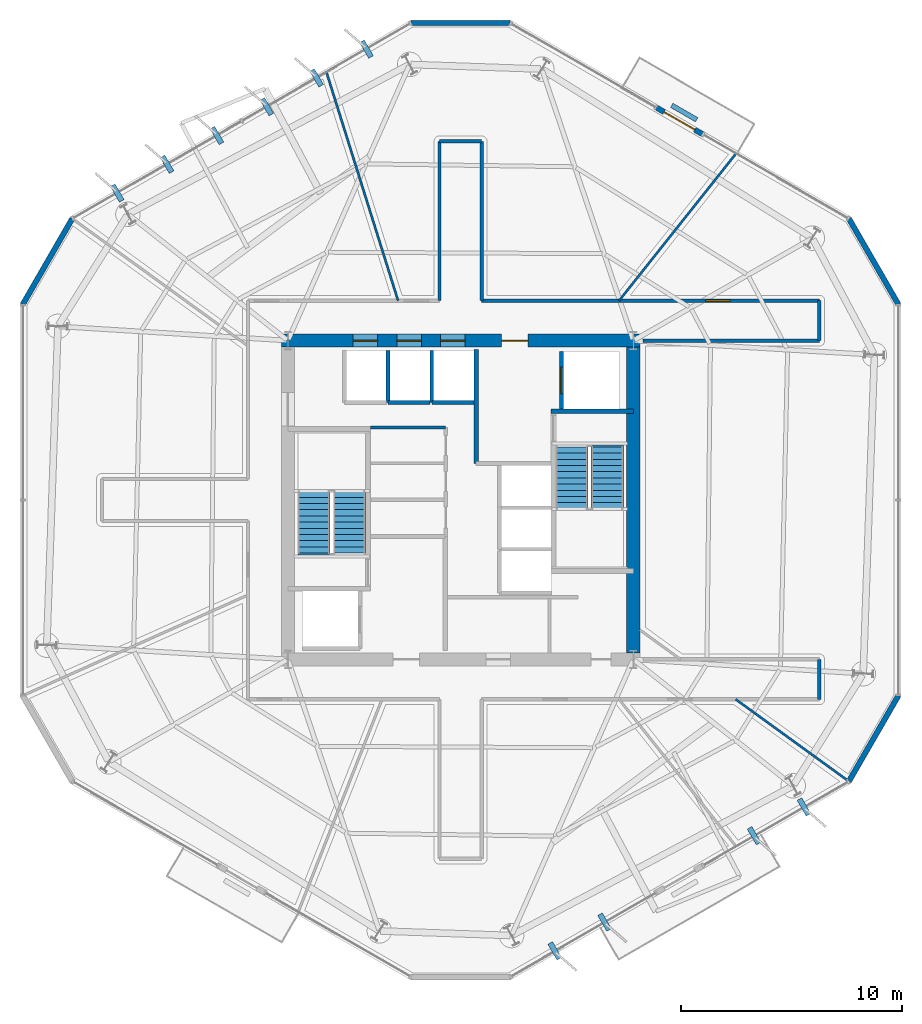
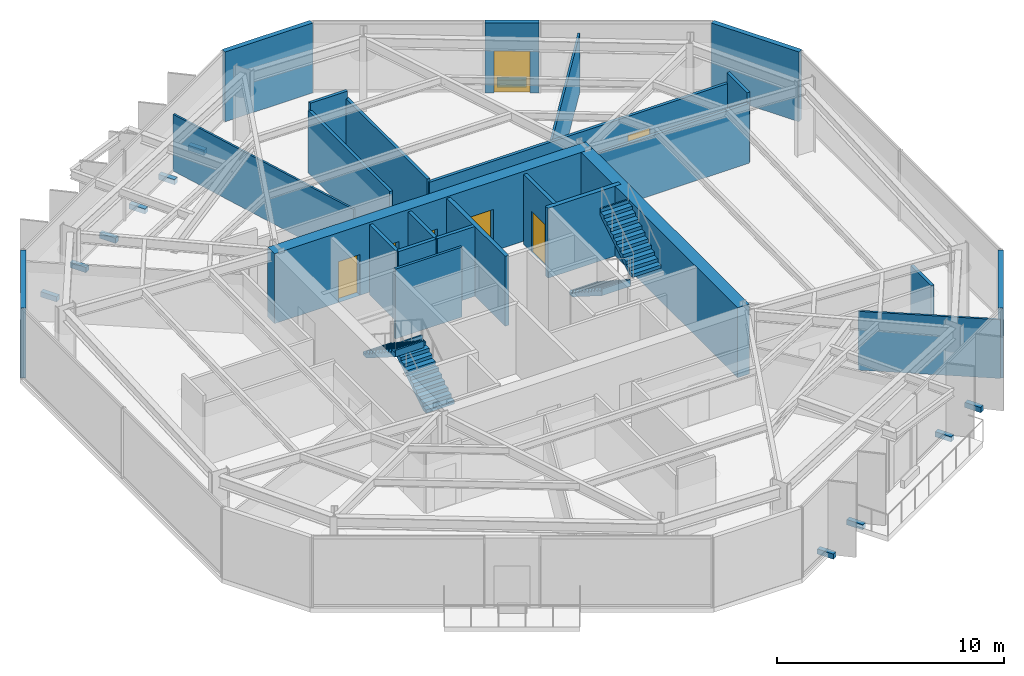
# One storey, part 8 of 11: 26 walls, 10 discrete accessories, 7 doors, 4 stair flights, 7 openings, 2 elements without a shape of their own.
"""IFC4 building model written with IfcOpenShell, lengths in metres."""

from ifc_helpers import new_model, si_unit, direction, frame, frame_2d, origin, origin_2d, place, context, subcontext, project, spatial, polyline, rectangle, outline, extrude, material, layer, layer_set, type_object, element, fill, aggregate, save


model = new_model("IFC4")

# Units and contexts
model_context = context("Model", 3, precision=1e-05, world=origin(), true_north=direction((0.0, 1.0)))
body_context = subcontext(model_context, "Body", "Model", "MODEL_VIEW")
ifc_project = project(units=[si_unit("LENGTHUNIT", "METRE"), si_unit("AREAUNIT", "SQUARE_METRE"), si_unit("VOLUMEUNIT", "CUBIC_METRE"), si_unit("PLANEANGLEUNIT", "RADIAN"), si_unit("MASSUNIT", "GRAM", prefix="KILO")], contexts=[model_context])

# Site, building, storey
site_placement = place(None, origin())
site = spatial("IfcSite", under=ifc_project, at=site_placement, CompositionType="ELEMENT")
building_placement = place(site_placement, origin())
building = spatial("IfcBuilding", under=site, at=building_placement, Name="Kranzbogen Civic Tower", CompositionType="ELEMENT")
storey_placement = place(building_placement, frame((0.0, 0.0, 142.39990234375)))
storey = spatial("IfcBuildingStorey", under=building, at=storey_placement, Name="L34", CompositionType="ELEMENT", Elevation=142.39990234375)

# Walls
ifc_material_1 = material(Name="Double-Stud Acoustic Gypsum Partition")
ifc_layer_1 = layer(ifc_material_1, 0.14990234375, Name="Double-Stud Acoustic Gypsum Partition")
ifc_layer_set_1 = layer_set([ifc_layer_1], Name="Double-Stud Acoustic Gypsum Partition")
wall_type_1 = type_object("IfcWallType", Name="Acoustic Corridor and Clinical Partition 150 mm", PredefinedType="PARTITIONING", material=ifc_layer_set_1)
wall_1_placement = place(storey_placement, frame((24.050048828125, 34.0, 0.0), z_axis=(0.0, 0.0, 1.0), x_axis=(0.0, 1.0, 0.0)))
element("IfcWall", 1, at=wall_1_placement, inside=storey, type_object=wall_type_1, Name="L34 corridor partition 11", PredefinedType="PARTITIONING", context=body_context, shape_type="SweptSolid", body=[
    extrude(rectangle(XDim=7.199951171875, YDim=0.14990234375, at=frame_2d((3.60009765625, 0.0))), origin(), (0.0, 0.0, 1.0), 3.360107421875),
])
wall_2_placement = place(storey_placement, frame((24.050048828125, 41.199951171875, 0.0), z_axis=(0.0, 0.0, 1.0), x_axis=(1.0, 0.0, 0.0)))
element("IfcWall", 2, at=wall_2_placement, inside=storey, type_object=wall_type_1, Name="L34 corridor partition 12", PredefinedType="PARTITIONING", context=body_context, shape_type="SweptSolid", body=[
    extrude(rectangle(XDim=1.89990234375, YDim=0.14990234375, at=frame_2d((0.949951171875, 0.0))), origin(), (0.0, 0.0, 1.0), 3.760009765625),
])
wall_3_placement = place(storey_placement, frame((25.949951171875, 41.199951171875, 0.0), z_axis=(0.0, 0.0, 1.0), x_axis=(0.0, -1.0, 0.0)))
element("IfcWall", 3, at=wall_3_placement, inside=storey, type_object=wall_type_1, Name="L34 corridor partition 13", PredefinedType="PARTITIONING", context=body_context, shape_type="SweptSolid", body=[
    extrude(rectangle(XDim=7.199951171875, YDim=0.14990234375, at=frame_2d((3.60009765625, 0.0))), origin(), (0.0, 0.0, 1.0), 3.360107421875),
])

# Wall, opening, door
wall_4_placement = place(storey_placement, frame((25.949951171875, 34.0, 0.0), z_axis=(0.0, 0.0, 1.0), x_axis=(1.0, 0.0, 0.0)))
wall_4 = element("IfcWall", 4, at=wall_4_placement, inside=storey, type_object=wall_type_1, Name="L34 corridor partition 14", PredefinedType="PARTITIONING", context=body_context, shape_type="SweptSolid", body=[
    extrude(rectangle(XDim=15.25, YDim=0.14990234375, at=frame_2d((7.625, 0.0))), origin(), (0.0, 0.0, 1.0), 3.210205078125),
])
opening_1_placement = place(wall_4_placement, frame((10.116943359375, 0.0, 0.0)))
opening_1 = element("IfcOpeningElement", 5, at=opening_1_placement, cuts=wall_4, Name="Opening D-COR60", PredefinedType="OPENING", context=body_context, shape_type="SweptSolid", body=[
    extrude(rectangle(XDim=1.10009765625, YDim=2.199951171875, at=frame_2d((0.550048828125, 1.10009765625))), frame((0.0, 0.0849609375, 0.0), z_axis=(0.0, -1.0, 0.0), x_axis=(1.0, 0.0, 0.0)), (0.0, 0.0, 1.0), 0.169921875),
])
ifc_material_2 = material(Name="Oak Timber and Fire Core", Category="wood")
door_type_1 = type_object("IfcDoorType", Name="Corridor Acoustic Fire Door 1100x2200", OperationType="NOTDEFINED", PredefinedType="DOOR", material=ifc_material_2)
door_1_placement = place(opening_1_placement, origin())
door_1 = element("IfcDoor", 6, at=door_1_placement, inside=storey, type_object=door_type_1, Name="L34 Operations Security Control Room door", OperationType="SINGLE_SWING_LEFT", OverallHeight=2.199951171875, OverallWidth=1.10009765625, PredefinedType="DOOR", context=body_context, shape_type="SweptSolid", body=[
    extrude(rectangle(XDim=1.10009765625, YDim=2.199951171875, at=frame_2d((0.550048828125, 1.10009765625))), frame((0.0, 0.02490234375, 0.0), z_axis=(0.0, -1.0, 0.0), x_axis=(1.0, 0.0, 0.0)), (0.0, 0.0, 1.0), 0.050048828125),
])
fill(opening_1, door_1)

# Walls
wall_5_placement = place(storey_placement, frame((41.199951171875, 34.0, 0.0), z_axis=(0.0, 0.0, 1.0), x_axis=(0.0, -1.0, 0.0)))
element("IfcWall", 7, at=wall_5_placement, inside=storey, type_object=wall_type_1, Name="L34 corridor partition 15", PredefinedType="PARTITIONING", context=body_context, shape_type="SweptSolid", body=[
    extrude(rectangle(XDim=1.800048828125, YDim=0.14990234375, at=frame_2d((0.89990234375, 0.0))), origin(), (0.0, 0.0, 1.0), 3.760009765625),
])
wall_6_placement = place(storey_placement, frame((41.199951171875, 32.199951171875, 0.0), z_axis=(0.0, 0.0, 1.0), x_axis=(-1.0, 0.0, 0.0)))
element("IfcWall", 8, at=wall_6_placement, inside=storey, type_object=wall_type_1, Name="L34 corridor partition 16", PredefinedType="PARTITIONING", context=body_context, shape_type="SweptSolid", body=[
    extrude(rectangle(XDim=7.952880859375, YDim=0.14990234375, at=frame_2d((3.9765625, 0.0))), origin(), (0.0, 0.0, 1.0), 3.210205078125),
])
wall_7_placement = place(storey_placement, frame((41.199951171875, 17.800048828125, 0.0), z_axis=(0.0, 0.0, 1.0), x_axis=(0.0, -1.0, 0.0)))
element("IfcWall", 9, at=wall_7_placement, inside=storey, type_object=wall_type_1, Name="L34 corridor partition 18", PredefinedType="PARTITIONING", context=body_context, shape_type="SweptSolid", body=[
    extrude(rectangle(XDim=1.800048828125, YDim=0.14990234375, at=frame_2d((0.89990234375, 0.0))), origin(), (0.0, 0.0, 1.0), 3.210205078125),
])
ifc_material_3 = material(Name="Insulated Metal-Stud Gypsum Partition")
ifc_layer_2 = layer(ifc_material_3, 0.125, Name="Insulated Metal-Stud Gypsum Partition")
ifc_layer_set_2 = layer_set([ifc_layer_2], Name="Insulated Metal-Stud Gypsum Partition")
wall_type_2 = type_object("IfcWallType", Name="Acoustic Inter-Room Partition 125 mm", PredefinedType="PARTITIONING", material=ifc_layer_set_2)
wall_8_placement = place(storey_placement, frame((20.919921875, 28.280029296875, 0.0), z_axis=(0.0, 0.0, 1.0), x_axis=(1.0, 0.0, 0.0)))
element("IfcWall", 10, at=wall_8_placement, inside=storey, type_object=wall_type_2, Name="L34 core auxiliary North wall", PredefinedType="PARTITIONING", context=body_context, shape_type="SweptSolid", body=[
    extrude(rectangle(XDim=3.405029296875, YDim=0.125, at=frame_2d((1.70263671875, 0.0))), origin(), (0.0, 0.0, 1.0), 3.760009765625),
])
ifc_material_4 = material(Name="Architectural Precast Terracotta Concrete C40/50", Category="masonry")
ifc_layer_3 = layer(ifc_material_4, 0.219970703125, Name="Architectural Precast Terracotta Concrete C40/50")
ifc_layer_set_3 = layer_set([ifc_layer_3], Name="Architectural Precast Terracotta Concrete C40/50")
wall_type_3 = type_object("IfcWallType", Name="Architectural Tree Planter Kerb Wall 220 mm", PredefinedType="USERDEFINED", material=ifc_layer_set_3)
wall_9_placement = place(storey_placement, frame((35.6650390625, 42.173095703125, 0.0), z_axis=(0.0, 0.0, 1.0), x_axis=(-0.866085525409, 0.49989585183, 0.0)))
element("IfcWall", 11, at=wall_9_placement, inside=storey, type_object=wall_type_3, Name="L34 landscaped tree balcony planter L34-TB2", ObjectType="PLANTER_WALL", PredefinedType="USERDEFINED", context=body_context, shape_type="SweptSolid", body=[
    extrude(rectangle(XDim=1.300048828125, YDim=0.219970703125, at=frame_2d((0.64990234375, 0.0))), origin(), (0.0, 0.0, 1.0), 0.400146484375),
])

# Wall, openings, doors
ifc_material_5 = material(Name="Concrete C55/67", Category="concrete")
ifc_layer_4 = layer(ifc_material_5, 0.60009765625, Name="Concrete C55/67")
ifc_layer_set_4 = layer_set([ifc_layer_4], Name="Concrete C55/67")
wall_type_4 = type_object("IfcWallType", Name="Central Core Shear Wall 600 mm", PredefinedType="SHEAR", material=ifc_layer_set_4)
wall_10_placement = place(storey_placement, frame((33.10009765625, 32.199951171875, 0.0), z_axis=(0.0, 0.0, 1.0), x_axis=(-1.0, 0.0, 0.0)))
wall_10 = element("IfcWall", 12, at=wall_10_placement, inside=storey, type_object=wall_type_4, Name="L34 central core North shear wall", PredefinedType="SHEAR", context=body_context, shape_type="SweptSolid", body=[
    extrude(rectangle(XDim=16.2001953125, YDim=0.60009765625, at=frame_2d((8.10009765625, 0.0))), origin(), (0.0, 0.0, 1.0), 3.760009765625),
])
opening_2_placement = place(wall_10_placement, frame((5.050048828125, 0.0, 0.0)))
opening_2 = element("IfcOpeningElement", 13, at=opening_2_placement, cuts=wall_10, Name="Opening D-EX120", PredefinedType="OPENING", context=body_context, shape_type="SweptSolid", body=[
    extrude(rectangle(XDim=1.199951171875, YDim=2.25, at=frame_2d((0.60009765625, 1.125))), frame((0.0, 0.31005859375, 0.0), z_axis=(0.0, -1.0, 0.0), x_axis=(1.0, 0.0, 0.0)), (0.0, 0.0, 1.0), 0.6201171875),
])
opening_3_placement = place(wall_10_placement, frame((11.85009765625, 0.0, 0.0)))
opening_3 = element("IfcOpeningElement", 14, at=opening_3_placement, cuts=wall_10, Name="Opening LD-MP-01", PredefinedType="OPENING", context=body_context, shape_type="SweptSolid", body=[
    extrude(rectangle(XDim=1.10009765625, YDim=2.199951171875, at=frame_2d((0.550048828125, 1.10009765625))), frame((0.0, 0.31005859375, 0.0), z_axis=(0.0, -1.0, 0.0), x_axis=(1.0, 0.0, 0.0)), (0.0, 0.0, 1.0), 0.6201171875),
])
opening_4_placement = place(wall_10_placement, frame((9.875, 0.0, 0.0)))
opening_4 = element("IfcOpeningElement", 15, at=opening_4_placement, cuts=wall_10, Name="Opening LD-MP-02", PredefinedType="OPENING", context=body_context, shape_type="SweptSolid", body=[
    extrude(rectangle(XDim=1.10009765625, YDim=2.199951171875, at=frame_2d((0.550048828125, 1.10009765625))), frame((0.0, 0.31005859375, 0.0), z_axis=(0.0, -1.0, 0.0), x_axis=(1.0, 0.0, 0.0)), (0.0, 0.0, 1.0), 0.6201171875),
])
opening_5_placement = place(wall_10_placement, frame((7.89990234375, 0.0, 0.0)))
opening_5 = element("IfcOpeningElement", 16, at=opening_5_placement, cuts=wall_10, Name="Opening LD-MP-03", PredefinedType="OPENING", context=body_context, shape_type="SweptSolid", body=[
    extrude(rectangle(XDim=1.10009765625, YDim=2.199951171875, at=frame_2d((0.550048828125, 1.10009765625))), frame((0.0, 0.31005859375, 0.0), z_axis=(0.0, -1.0, 0.0), x_axis=(1.0, 0.0, 0.0)), (0.0, 0.0, 1.0), 0.6201171875),
])
ifc_material_6 = material(Name="Steel S355", Category="steel")
door_type_2 = type_object("IfcDoorType", Name="Exit Passageway Fire Door 1200x2250", OperationType="NOTDEFINED", PredefinedType="DOOR", material=ifc_material_6)
door_2_placement = place(opening_2_placement, origin())
door_2 = element("IfcDoor", 17, at=door_2_placement, inside=storey, type_object=door_type_2, Name="L34 East firefighting lobby corridor door", OperationType="SINGLE_SWING_RIGHT", OverallHeight=2.25, OverallWidth=1.199951171875, PredefinedType="DOOR", context=body_context, shape_type="SweptSolid", body=[
    extrude(rectangle(XDim=1.199951171875, YDim=2.25, at=frame_2d((0.60009765625, 1.125))), frame((0.0, 0.02490234375, 0.0), z_axis=(0.0, -1.0, 0.0), x_axis=(1.0, 0.0, 0.0)), (0.0, 0.0, 1.0), 0.050048828125),
])
fill(opening_2, door_2)
ifc_material_7 = material(Name="Pale Anodised Aluminium", Category="aluminium")
door_type_3 = type_object("IfcDoorType", Name="Passenger Lift Sliding Landing Door 1100x2200", OperationType="DOUBLE_DOOR_SLIDING", PredefinedType="DOOR", material=ifc_material_7)
door_3_placement = place(opening_3_placement, origin())
door_3 = element("IfcDoor", 18, at=door_3_placement, inside=storey, type_object=door_type_3, Name="L34 lift MP-01 sliding landing door", OperationType="DOUBLE_DOOR_SLIDING", OverallHeight=2.199951171875, OverallWidth=1.10009765625, PredefinedType="DOOR", context=body_context, shape_type="SweptSolid", body=[
    extrude(rectangle(XDim=1.10009765625, YDim=2.199951171875, at=frame_2d((0.550048828125, 1.10009765625))), frame((0.0, 0.02490234375, 0.0), z_axis=(0.0, -1.0, 0.0), x_axis=(1.0, 0.0, 0.0)), (0.0, 0.0, 1.0), 0.050048828125),
])
fill(opening_3, door_3)
door_4_placement = place(opening_4_placement, origin())
door_4 = element("IfcDoor", 19, at=door_4_placement, inside=storey, type_object=door_type_3, Name="L34 lift MP-02 sliding landing door", OperationType="DOUBLE_DOOR_SLIDING", OverallHeight=2.199951171875, OverallWidth=1.10009765625, PredefinedType="DOOR", context=body_context, shape_type="SweptSolid", body=[
    extrude(rectangle(XDim=1.10009765625, YDim=2.199951171875, at=frame_2d((0.550048828125, 1.10009765625))), frame((0.0, 0.02490234375, 0.0), z_axis=(0.0, -1.0, 0.0), x_axis=(1.0, 0.0, 0.0)), (0.0, 0.0, 1.0), 0.050048828125),
])
fill(opening_4, door_4)
door_5_placement = place(opening_5_placement, origin())
door_5 = element("IfcDoor", 20, at=door_5_placement, inside=storey, type_object=door_type_3, Name="L34 lift MP-03 sliding landing door", OperationType="DOUBLE_DOOR_SLIDING", OverallHeight=2.199951171875, OverallWidth=1.10009765625, PredefinedType="DOOR", context=body_context, shape_type="SweptSolid", body=[
    extrude(rectangle(XDim=1.10009765625, YDim=2.199951171875, at=frame_2d((0.550048828125, 1.10009765625))), frame((0.0, 0.02490234375, 0.0), z_axis=(0.0, -1.0, 0.0), x_axis=(1.0, 0.0, 0.0)), (0.0, 0.0, 1.0), 0.050048828125),
])
fill(opening_5, door_5)

# Walls
wall_11_placement = place(storey_placement, frame((32.800048828125, 18.10009765625, 0.0), z_axis=(0.0, 0.0, 1.0), x_axis=(0.0, 1.0, 0.0)))
element("IfcWall", 21, at=wall_11_placement, inside=storey, type_object=wall_type_4, Name="L34 central core East shear wall", PredefinedType="SHEAR", context=body_context, shape_type="SweptSolid", body=[
    extrude(rectangle(XDim=13.7998046875, YDim=0.60009765625, at=frame_2d((6.89990234375, 0.0))), origin(), (0.0, 0.0, 1.0), 3.760009765625),
])
ifc_material_8 = material(Name="Concrete C45/55", Category="concrete")
ifc_layer_5 = layer(ifc_material_8, 0.219970703125, Name="Concrete C45/55")
ifc_layer_set_5 = layer_set([ifc_layer_5], Name="Concrete C45/55")
wall_type_5 = type_object("IfcWallType", Name="Core Internal Stair Structural Wall 220 mm", PredefinedType="SOLIDWALL", material=ifc_layer_set_5)
wall_12_placement = place(storey_placement, frame((29.080078125, 29.010009765625, 0.0), z_axis=(0.0, 0.0, 1.0), x_axis=(1.0, 0.0, 0.0)))
element("IfcWall", 22, at=wall_12_placement, inside=storey, type_object=wall_type_5, Name="L34 ST-T2 North structural stair wall", PredefinedType="SOLIDWALL", context=body_context, shape_type="SweptSolid", body=[
    extrude(rectangle(XDim=3.719970703125, YDim=0.219970703125, at=frame_2d((1.85986328125, 0.0))), origin(), (0.0, 0.0, 1.0), 3.760009765625),
])
ifc_material_9 = material(Name="Demountable Aluminium and Gypsum Partition", Category="aluminium")
ifc_layer_6 = layer(ifc_material_9, 0.10009765625, Name="Demountable Aluminium and Gypsum Partition")
ifc_layer_set_6 = layer_set([ifc_layer_6], Name="Demountable Aluminium and Gypsum Partition")
wall_type_6 = type_object("IfcWallType", Name="Demountable Office Partition 100 mm", PredefinedType="MOVABLE", material=ifc_layer_set_6)
wall_13_placement = place(storey_placement, frame((32.156005859375, 34.0, 0.0), z_axis=(0.0, 0.0, 1.0), x_axis=(0.622366778273, 0.782725745905, 0.0)))
element("IfcWall", 23, at=wall_13_placement, inside=storey, type_object=wall_type_6, Name="L34 radial room partition 01", PredefinedType="MOVABLE", context=body_context, shape_type="SweptSolid", body=[
    extrude(rectangle(XDim=8.4755859375, YDim=0.10009765625, at=frame_2d((4.23779296875, 0.0))), origin(), (0.0, 0.0, 1.0), 3.16015625),
])
wall_14_placement = place(storey_placement, frame((22.177978515625, 34.0, 0.0), z_axis=(0.0, 0.0, 1.0), x_axis=(-0.299157035667, 0.954203892264, 0.0)))
element("IfcWall", 24, at=wall_14_placement, inside=storey, type_object=wall_type_6, Name="L34 radial room partition 02", PredefinedType="MOVABLE", context=body_context, shape_type="SweptSolid", body=[
    extrude(rectangle(XDim=10.81005859375, YDim=0.10009765625, at=frame_2d((5.405029296875, 0.0))), origin(), (0.0, 0.0, 1.0), 3.050048828125),
])
wall_15_placement = place(storey_placement, frame((37.422119140625, 16.0, 0.0), z_axis=(0.0, 0.0, 1.0), x_axis=(0.809732488646, -0.586799196345, 0.0)))
element("IfcWall", 25, at=wall_15_placement, inside=storey, type_object=wall_type_6, Name="L34 radial room partition 08", PredefinedType="MOVABLE", context=body_context, shape_type="SweptSolid", body=[
    extrude(rectangle(XDim=6.296875, YDim=0.10009765625, at=frame_2d((3.1484375, 0.0))), origin(), (0.0, 0.0, 1.0), 3.16015625),
])
ifc_material_10 = material(Name="Gypsum Fireboard and Concrete Block", Category="concrete")
ifc_layer_7 = layer(ifc_material_10, 0.199951171875, Name="Gypsum Fireboard and Concrete Block")
ifc_layer_set_7 = layer_set([ifc_layer_7], Name="Gypsum Fireboard and Concrete Block")
wall_type_7 = type_object("IfcWallType", Name="Fire-Rated Exit Passageway and Stair Wall 200 mm", PredefinedType="PARTITIONING", material=ifc_layer_set_7)
wall_16_placement = place(storey_placement, frame((25.699951171875, 26.64990234375, 0.0), z_axis=(0.0, 0.0, 1.0), x_axis=(0.0, 1.0, 0.0)))
element("IfcWall", 26, at=wall_16_placement, inside=storey, type_object=wall_type_7, Name="L34 East firefighting lobby West wall", PredefinedType="PARTITIONING", context=body_context, shape_type="SweptSolid", body=[
    extrude(rectangle(XDim=5.150146484375, YDim=0.199951171875, at=frame_2d((2.5751953125, 0.0))), origin(), (0.0, 0.0, 1.0), 3.760009765625),
])
ifc_material_11 = material(Name="Gypsum Fireboard Shaftliner")
ifc_layer_8 = layer(ifc_material_11, 0.175048828125, Name="Gypsum Fireboard Shaftliner")
ifc_layer_set_8 = layer_set([ifc_layer_8], Name="Gypsum Fireboard Shaftliner")
wall_type_8 = type_object("IfcWallType", Name="Fire-Rated Lift and Service Shaft Wall 175 mm", PredefinedType="PARTITIONING", material=ifc_layer_set_8)
wall_17_placement = place(storey_placement, frame((21.72509765625, 29.39990234375, 0.0), z_axis=(0.0, 0.0, 1.0), x_axis=(1.0, 0.0, 0.0)))
element("IfcWall", 27, at=wall_17_placement, inside=storey, type_object=wall_type_8, Name="L34 lift MP-02 rear wall", PredefinedType="PARTITIONING", context=body_context, shape_type="SweptSolid", body=[
    extrude(rectangle(XDim=1.89990234375, YDim=0.175048828125, at=frame_2d((0.949951171875, 0.0))), origin(), (0.0, 0.0, 1.0), 3.760009765625),
])
wall_18_placement = place(storey_placement, frame((21.72509765625, 29.39990234375, 0.0), z_axis=(0.0, 0.0, 1.0), x_axis=(0.0, 1.0, 0.0)))
element("IfcWall", 28, at=wall_18_placement, inside=storey, type_object=wall_type_8, Name="L34 lift MP-02 side wall", PredefinedType="PARTITIONING", context=body_context, shape_type="SweptSolid", body=[
    extrude(rectangle(XDim=2.35009765625, YDim=0.175048828125, at=frame_2d((1.175048828125, 0.0))), origin(), (0.0, 0.0, 1.0), 3.760009765625),
])
wall_19_placement = place(storey_placement, frame((23.699951171875, 29.39990234375, 0.0), z_axis=(0.0, 0.0, 1.0), x_axis=(1.0, 0.0, 0.0)))
element("IfcWall", 29, at=wall_19_placement, inside=storey, type_object=wall_type_8, Name="L34 lift MP-03 rear wall", PredefinedType="PARTITIONING", context=body_context, shape_type="SweptSolid", body=[
    extrude(rectangle(XDim=1.900146484375, YDim=0.175048828125, at=frame_2d((0.9501953125, 0.0))), origin(), (0.0, 0.0, 1.0), 3.760009765625),
])
wall_20_placement = place(storey_placement, frame((23.699951171875, 29.39990234375, 0.0), z_axis=(0.0, 0.0, 1.0), x_axis=(0.0, 1.0, 0.0)))
element("IfcWall", 30, at=wall_20_placement, inside=storey, type_object=wall_type_8, Name="L34 lift MP-03 side wall", PredefinedType="PARTITIONING", context=body_context, shape_type="SweptSolid", body=[
    extrude(rectangle(XDim=2.35009765625, YDim=0.175048828125, at=frame_2d((1.175048828125, 0.0))), origin(), (0.0, 0.0, 1.0), 3.760009765625),
])

# Wall, opening, door
wall_21_placement = place(storey_placement, frame((29.550048828125, 29.10009765625, 0.0), z_axis=(0.0, 0.0, 1.0), x_axis=(0.0, 1.0, 0.0)))
wall_21 = element("IfcWall", 31, at=wall_21_placement, inside=storey, type_object=wall_type_8, Name="L34 lift FF-02 landing wall", PredefinedType="PARTITIONING", context=body_context, shape_type="SweptSolid", body=[
    extrude(rectangle(XDim=2.599853515625, YDim=0.175048828125, at=frame_2d((1.2998046875, 0.0))), origin(), (0.0, 0.0, 1.0), 3.760009765625),
])
opening_6_placement = place(wall_21_placement, frame((0.699951171875, 0.0, 0.0)))
opening_6 = element("IfcOpeningElement", 32, at=opening_6_placement, cuts=wall_21, Name="Opening LD-FF-02", PredefinedType="OPENING", context=body_context, shape_type="SweptSolid", body=[
    extrude(rectangle(XDim=1.199951171875, YDim=2.199951171875, at=frame_2d((0.60009765625, 1.10009765625))), frame((0.0, 0.09765625, 0.0), z_axis=(0.0, -1.0, 0.0), x_axis=(1.0, 0.0, 0.0)), (0.0, 0.0, 1.0), 0.195068359375),
])
door_type_4 = type_object("IfcDoorType", Name="Firefighting and Stretcher Lift Sliding Landing Door 1200x2200", OperationType="DOUBLE_DOOR_SLIDING", PredefinedType="DOOR", material=ifc_material_7)
door_6_placement = place(opening_6_placement, origin())
door_6 = element("IfcDoor", 33, at=door_6_placement, inside=storey, type_object=door_type_4, Name="L34 lift FF-02 sliding landing door", OperationType="DOUBLE_DOOR_SLIDING", OverallHeight=2.199951171875, OverallWidth=1.199951171875, PredefinedType="DOOR", context=body_context, shape_type="SweptSolid", body=[
    extrude(rectangle(XDim=1.199951171875, YDim=2.199951171875, at=frame_2d((0.60009765625, 1.10009765625))), frame((0.0, 0.02490234375, 0.0), z_axis=(0.0, -1.0, 0.0), x_axis=(1.0, 0.0, 0.0)), (0.0, 0.0, 1.0), 0.050048828125),
])
fill(opening_6, door_6)

ifc_layer_9 = layer(ifc_material_7, 0.239990234375, Name="Pale Anodised Aluminium")
ifc_layer_set_9 = layer_set([ifc_layer_9], Name="Pale Anodised Aluminium")
wall_type_9 = type_object("IfcWallType", Name="Insulated Aluminium Facade Portal Wall 240 mm", PredefinedType="STANDARD", material=ifc_layer_set_9)
wall_22_placement = place(storey_placement, frame((35.925048828125, 41.52392578125, 0.0), z_axis=(0.0, 0.0, 1.0), x_axis=(-0.865955154139, 0.50012165622, 0.0)))
wall_22 = element("IfcWall", 34, at=wall_22_placement, inside=storey, type_object=wall_type_9, Name="L34 exterior entrance portal wall 1", PredefinedType="STANDARD", context=body_context, shape_type="SweptSolid", body=[
    extrude(rectangle(XDim=2.39990234375, YDim=0.239990234375, at=frame_2d((1.199951171875, 0.0))), origin(), (0.0, 0.0, 1.0), 3.760009765625),
])
opening_7_placement = place(wall_22_placement, frame((0.39990234375, 0.0, 0.0)))
opening_7 = element("IfcOpeningElement", 35, at=opening_7_placement, cuts=wall_22, Name="Opening D-TER", PredefinedType="OPENING", context=body_context, shape_type="SweptSolid", body=[
    extrude(rectangle(XDim=1.60009765625, YDim=2.25, at=frame_2d((0.800048828125, 1.125))), frame((0.0, 0.1298828125, 0.0), z_axis=(0.0, -1.0, 0.0), x_axis=(1.0, 0.0, 0.0)), (0.0, 0.0, 1.0), 0.260009765625),
])
ifc_material_12 = material(Name="Anodised Bronze and Triple Glass", Category="glass")
door_type_5 = type_object("IfcDoorType", Name="Glazed Terrace and Balcony Double Door 1600x2250", OperationType="DOUBLE_DOOR_SINGLE_SWING", PredefinedType="DOOR", material=ifc_material_12)
door_7_placement = place(opening_7_placement, frame((1.60009765625, 0.0, 0.0), z_axis=(0.0, 0.0, 1.0), x_axis=(-1.0, 0.0, 0.0)))
door_7 = element("IfcDoor", 36, at=door_7_placement, inside=storey, type_object=door_type_5, Name="L34 tree balcony access door L34-TB2", OperationType="DOUBLE_DOOR_SINGLE_SWING", OverallHeight=2.25, OverallWidth=1.60009765625, PredefinedType="DOOR", context=body_context, shape_type="SweptSolid", body=[
    extrude(rectangle(XDim=1.60009765625, YDim=2.25, at=frame_2d((0.800048828125, 1.125))), frame((0.0, 0.02490234375, 0.0), z_axis=(0.0, -1.0, 0.0), x_axis=(1.0, 0.0, 0.0)), (0.0, 0.0, 1.0), 0.050048828125),
])
fill(opening_7, door_7)

# Walls
wall_23_placement = place(storey_placement, frame((27.236083984375, 46.541015625, 0.0), z_axis=(0.0, 0.0, 1.0), x_axis=(-1.0, 0.0, 0.0)))
element("IfcWall", 37, at=wall_23_placement, inside=storey, type_object=wall_type_9, Name="L34 chamfered corner facade spandrel 1", PredefinedType="STANDARD", context=body_context, shape_type="SweptSolid", body=[
    extrude(rectangle(XDim=4.47216796875, YDim=0.239990234375, at=frame_2d((2.236083984375, 0.0))), origin(), (0.0, 0.0, 1.0), 3.760009765625),
])
for number, where, z_axis, x_axis, name in (
    (38, (7.462890625, 37.7060546875, 0.0), (0.0, 0.0, 1.0), (-0.499886330694, -0.866091020843, 0.0), "L34 chamfered corner facade spandrel 2"),
    (39, (42.537109375, 12.2939453125, 0.0), (0.0, 0.0, 1.0), (0.499886330694, 0.866091020843, 0.0), "L34 chamfered corner facade spandrel 5"),
    (40, (44.77197265625, 33.833984375, 0.0), (0.0, 0.0, 1.0), (-0.499886330694, 0.866091020843, 0.0), "L34 chamfered corner facade spandrel 6"),
):
    element("IfcWall", number, at=place(storey_placement, frame(where, z_axis=z_axis, x_axis=x_axis)), inside=storey, type_object=wall_type_9, Name=name, PredefinedType="STANDARD", context=body_context, shape_type="SweptSolid", body=[
        extrude(rectangle(XDim=4.470703125, YDim=0.239990234375, at=frame_2d((2.2353515625, 0.0))), origin(), (0.0, 0.0, 1.0), 3.760009765625),
    ])

# Stair, stair flights
ifc_material_13 = material(Name="Precast concrete C40/50", Category="concrete")
stair_type_1 = type_object("IfcStairType", Name="Tower Core Pressurized Dogleg Stair 1450", PredefinedType="HALF_TURN_STAIR", material=ifc_material_13)
stair_1_placement = place(storey_placement, origin())
stair_1 = element("IfcStair", 41, at=stair_1_placement, inside=storey, type_object=stair_type_1, Name="L34 Tower Core Pressurized Stair 1", PredefinedType="HALF_TURN_STAIR")
stair_flight_type = type_object("IfcStairFlightType", Name="Precast Concrete Stair Flight R180", PredefinedType="STRAIGHT", material=ifc_material_13)
stair_flight_1_placement = place(storey_placement, frame((19.97509765625, 22.60009765625, 0.0), z_axis=(0.0, 0.0, 1.0), x_axis=(0.0, 1.0, 0.0)))
stair_flight_1 = element("IfcStairFlight", 42, at=stair_flight_1_placement, type_object=stair_flight_type, Name="ST-T1 flight 1", NumberOfRisers=11, NumberOfTreads=10, PredefinedType="STRAIGHT", RiserHeight=0.181818182, TreadLength=0.28, context=body_context, shape_type="SweptSolid", body=[
    extrude(outline(polyline([(0.0, 0.0), (0.0, 0.181884765625), (0.280029296875, 0.181884765625), (0.280029296875, 0.363525390625), (0.56005859375, 0.363525390625), (0.56005859375, 0.54541015625), (0.840087890625, 0.54541015625), (0.840087890625, 0.727294921875), (1.1201171875, 0.727294921875), (1.1201171875, 0.9091796875), (1.39990234375, 0.9091796875), (1.39990234375, 1.0908203125), (1.679931640625, 1.0908203125), (1.679931640625, 1.272705078125), (1.9599609375, 1.272705078125), (1.9599609375, 1.45458984375), (2.239990234375, 1.45458984375), (2.239990234375, 1.636474609375), (2.52001953125, 1.636474609375), (2.52001953125, 1.818115234375), (2.800048828125, 1.818115234375), (2.800048828125, 2.0), (2.880126953125, 2.0), (2.880126953125, 1.639404296875), (0.275146484375, 0.0), (0.0, 0.0)])), frame((0.0, 0.72509765625, 0.0), z_axis=(0.0, -1.0, 0.0), x_axis=(1.0, 0.0, 0.0)), (0.0, 0.0, 1.0), 1.449951171875),
])
stair_flight_2_placement = place(storey_placement, frame((18.375, 25.39990234375, 2.0), z_axis=(0.0, 0.0, 1.0), x_axis=(0.0, -1.0, 0.0)))
stair_flight_2 = element("IfcStairFlight", 43, at=stair_flight_2_placement, type_object=stair_flight_type, Name="ST-T1 flight 2", NumberOfRisers=11, NumberOfTreads=10, PredefinedType="STRAIGHT", RiserHeight=0.181818182, TreadLength=0.28, context=body_context, shape_type="SweptSolid", body=[
    extrude(outline(polyline([(0.0, 0.0), (0.0, 0.181884765625), (0.280029296875, 0.181884765625), (0.280029296875, 0.363525390625), (0.56005859375, 0.363525390625), (0.56005859375, 0.54541015625), (0.840087890625, 0.54541015625), (0.840087890625, 0.727294921875), (1.1201171875, 0.727294921875), (1.1201171875, 0.9091796875), (1.39990234375, 0.9091796875), (1.39990234375, 1.0908203125), (1.679931640625, 1.0908203125), (1.679931640625, 1.272705078125), (1.9599609375, 1.272705078125), (1.9599609375, 1.45458984375), (2.239990234375, 1.45458984375), (2.239990234375, 1.636474609375), (2.52001953125, 1.636474609375), (2.52001953125, 1.818115234375), (2.800048828125, 1.818115234375), (2.800048828125, 2.0), (2.880126953125, 2.0), (2.880126953125, 1.639404296875), (0.275146484375, 0.0), (0.0, 0.0)])), frame((0.0, 0.72509765625, 0.0), z_axis=(0.0, -1.0, 0.0), x_axis=(1.0, 0.0, 0.0)), (0.0, 0.0, 1.0), 1.449951171875),
])
aggregate(stair_1, [stair_flight_1, stair_flight_2])

stair_type_2 = type_object("IfcStairType", Name="Tower Core Secondary Dogleg Stair 1450", PredefinedType="HALF_TURN_STAIR", material=ifc_material_13)
stair_2_placement = place(storey_placement, origin())
stair_2 = element("IfcStair", 44, at=stair_2_placement, inside=storey, type_object=stair_type_2, Name="L34 Tower Core Pressurized Stair 2", PredefinedType="HALF_TURN_STAIR")
stair_flight_3_placement = place(storey_placement, frame((30.02490234375, 27.39990234375, 0.0), z_axis=(0.0, 0.0, 1.0), x_axis=(0.0, -1.0, 0.0)))
stair_flight_3 = element("IfcStairFlight", 45, at=stair_flight_3_placement, type_object=stair_flight_type, Name="ST-T2 flight 1", NumberOfRisers=11, NumberOfTreads=10, PredefinedType="STRAIGHT", RiserHeight=0.181818182, TreadLength=0.28, context=body_context, shape_type="SweptSolid", body=[
    extrude(outline(polyline([(0.0, 0.0), (0.0, 0.181884765625), (0.280029296875, 0.181884765625), (0.280029296875, 0.363525390625), (0.56005859375, 0.363525390625), (0.56005859375, 0.54541015625), (0.840087890625, 0.54541015625), (0.840087890625, 0.727294921875), (1.1201171875, 0.727294921875), (1.1201171875, 0.9091796875), (1.39990234375, 0.9091796875), (1.39990234375, 1.0908203125), (1.679931640625, 1.0908203125), (1.679931640625, 1.272705078125), (1.9599609375, 1.272705078125), (1.9599609375, 1.45458984375), (2.239990234375, 1.45458984375), (2.239990234375, 1.636474609375), (2.52001953125, 1.636474609375), (2.52001953125, 1.818115234375), (2.800048828125, 1.818115234375), (2.800048828125, 2.0), (2.880126953125, 2.0), (2.880126953125, 1.639404296875), (0.275146484375, 0.0), (0.0, 0.0)])), frame((0.0, 0.72509765625, 0.0), z_axis=(0.0, -1.0, 0.0), x_axis=(1.0, 0.0, 0.0)), (0.0, 0.0, 1.0), 1.449951171875),
])
stair_flight_4_placement = place(storey_placement, frame((31.625, 24.60009765625, 2.0), z_axis=(0.0, 0.0, 1.0), x_axis=(0.0, 1.0, 0.0)))
stair_flight_4 = element("IfcStairFlight", 46, at=stair_flight_4_placement, type_object=stair_flight_type, Name="ST-T2 flight 2", NumberOfRisers=11, NumberOfTreads=10, PredefinedType="STRAIGHT", RiserHeight=0.181818182, TreadLength=0.28, context=body_context, shape_type="SweptSolid", body=[
    extrude(outline(polyline([(0.0, 0.0), (0.0, 0.181884765625), (0.280029296875, 0.181884765625), (0.280029296875, 0.363525390625), (0.56005859375, 0.363525390625), (0.56005859375, 0.54541015625), (0.840087890625, 0.54541015625), (0.840087890625, 0.727294921875), (1.1201171875, 0.727294921875), (1.1201171875, 0.9091796875), (1.39990234375, 0.9091796875), (1.39990234375, 1.0908203125), (1.679931640625, 1.0908203125), (1.679931640625, 1.272705078125), (1.9599609375, 1.272705078125), (1.9599609375, 1.45458984375), (2.239990234375, 1.45458984375), (2.239990234375, 1.636474609375), (2.52001953125, 1.636474609375), (2.52001953125, 1.818115234375), (2.800048828125, 1.818115234375), (2.800048828125, 2.0), (2.880126953125, 2.0), (2.880126953125, 1.639404296875), (0.275146484375, 0.0), (0.0, 0.0)])), frame((0.0, 0.72509765625, 0.0), z_axis=(0.0, -1.0, 0.0), x_axis=(1.0, 0.0, 0.0)), (0.0, 0.0, 1.0), 1.449951171875),
])
aggregate(stair_2, [stair_flight_3, stair_flight_4])

# Discrete accessories
discrete_accessory_type = type_object("IfcDiscreteAccessoryType", Name="Structural Curtain-Wall Fin Support Bracket", PredefinedType="BRACKET", material=ifc_material_6)
for number, where, z_axis, x_axis, name in (
    (47, (20.7490234375, 45.363037109375, -0.25), (0.0, 0.0, 1.0), (-0.5, 0.866025403784, 0.0), "L34 facade fin support bracket F2-1"),
    (48, (18.4970703125, 44.06298828125, -0.25), (0.0, 0.0, 1.0), (-0.5, 0.866025403784, 0.0), "L34 facade fin support bracket F2-2"),
    (49, (16.24609375, 42.762939453125, -0.25), (0.0, 0.0, 1.0), (-0.5, 0.866025403784, 0.0), "L34 facade fin support bracket F2-3"),
    (50, (13.993896484375, 41.462890625, -0.25), (0.0, 0.0, 1.0), (-0.5, 0.866025403784, 0.0), "L34 facade fin support bracket F2-4"),
    (51, (11.742919921875, 40.1630859375, -0.25), (0.0, 0.0, 1.0), (-0.5, 0.866025403784, 0.0), "L34 facade fin support bracket F2-5"),
    (52, (9.490966796875, 38.863037109375, -0.25), (0.0, 0.0, 1.0), (-0.5, 0.866025403784, 0.0), "L34 facade fin support bracket F2-6"),
    (53, (29.2509765625, 4.636962890625, -0.25), (0.0, 0.0, 1.0), (0.5, -0.866025403784, 0.0), "L34 facade fin support bracket F5-1"),
    (54, (31.5029296875, 5.93701171875, -0.25), (0.0, 0.0, 1.0), (0.5, -0.866025403784, 0.0), "L34 facade fin support bracket F5-2"),
    (55, (38.257080078125, 9.8369140625, -0.25), (0.0, 0.0, 1.0), (0.5, -0.866025403784, 0.0), "L34 facade fin support bracket F5-5"),
    (56, (40.509033203125, 11.136962890625, -0.25), (0.0, 0.0, 1.0), (0.5, -0.866025403784, 0.0), "L34 facade fin support bracket F5-6"),
):
    element("IfcDiscreteAccessory", number, at=place(storey_placement, frame(where, z_axis=z_axis, x_axis=x_axis)), inside=storey, type_object=discrete_accessory_type, Name=name, PredefinedType="BRACKET", context=body_context, shape_type="SweptSolid", body=[
        extrude(rectangle(XDim=0.820068359375, YDim=0.239990234375, at=origin_2d()), origin(), (0.0, 0.0, 1.0), 0.280029296875),
    ])

save(model, "model.ifc")
